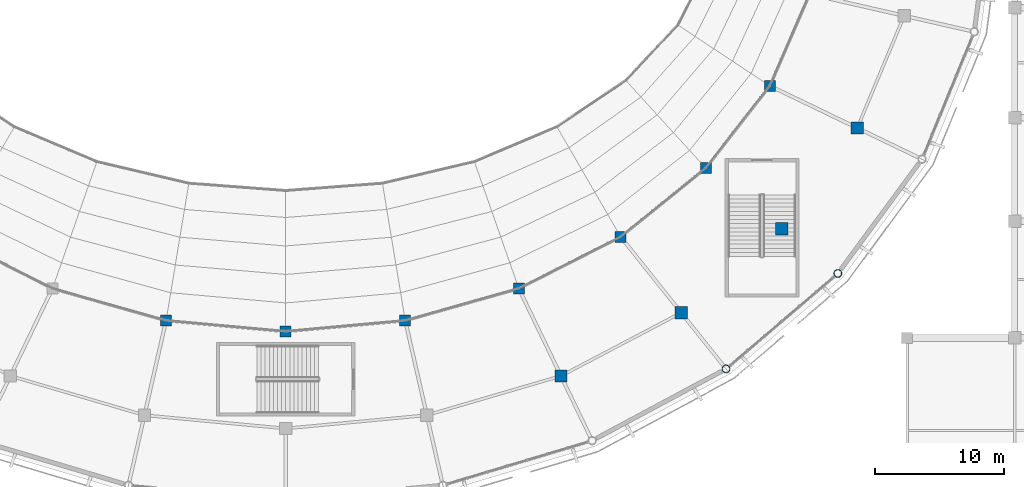
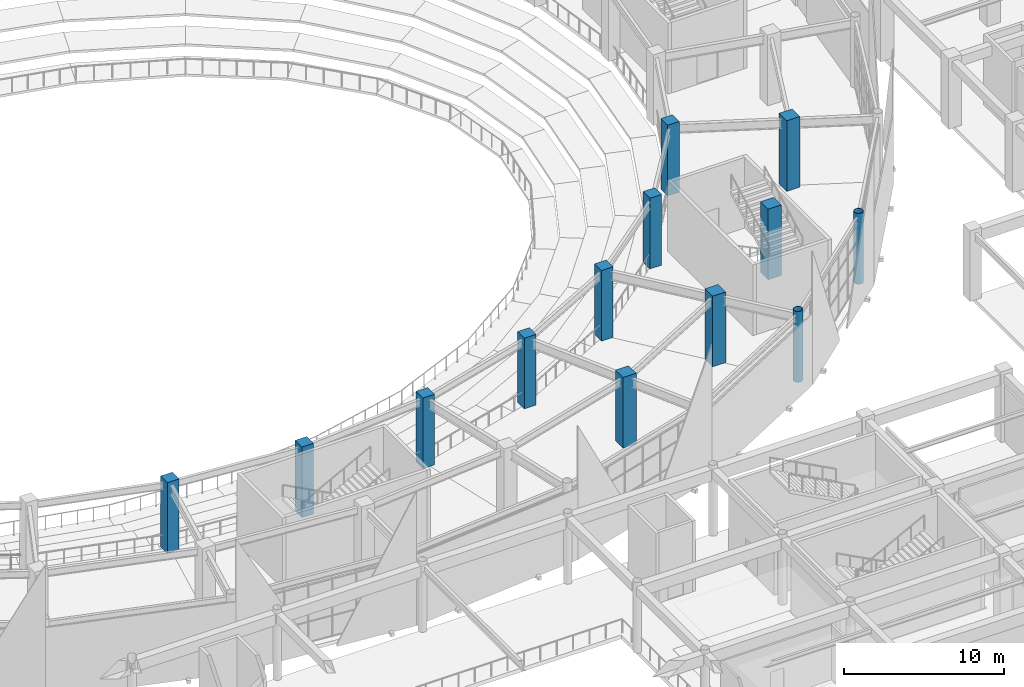
# One storey, part 5 of 120: 13 columns.
"""IFC4 building model written with IfcOpenShell, lengths in metres."""

from ifc_helpers import new_model, si_unit, direction, frame, origin, origin_2d, place, context, subcontext, project, spatial, rectangle, hollow_circle, extrude, material, material_profile, profile_set, type_object, element, save


model = new_model("IFC4")

# Units and contexts
model_context = context("Model", 3, precision=1e-05, world=origin(), true_north=direction((0.0, 1.0)))
body_context = subcontext(model_context, "Body", "Model", "MODEL_VIEW")
ifc_project = project(units=[si_unit("LENGTHUNIT", "METRE"), si_unit("AREAUNIT", "SQUARE_METRE"), si_unit("VOLUMEUNIT", "CUBIC_METRE"), si_unit("PLANEANGLEUNIT", "RADIAN"), si_unit("MASSUNIT", "GRAM", prefix="KILO")], contexts=[model_context])

# Site, building, storey
site_placement = place(None, origin())
site = spatial("IfcSite", under=ifc_project, at=site_placement, CompositionType="ELEMENT")
building_placement = place(site_placement, origin())
building = spatial("IfcBuilding", under=site, at=building_placement, Name="Cuetzalor Civic Arena", CompositionType="ELEMENT")
storey_placement = place(building_placement, frame((0.0, 0.0, 6.0)))
storey = spatial("IfcBuildingStorey", under=building, at=storey_placement, Name="L01", CompositionType="ELEMENT", Elevation=6.0)

# Columns
ifc_material_1 = material(Name="Concrete C40/50", Category="concrete")
ifc_material_profile_1 = material_profile(ifc_material_1, rectangle(XDim=0.85009765625, YDim=0.85009765625, at=origin_2d()), Name="RC 850x850")
ifc_profile_set_1 = profile_set([ifc_material_profile_1], Name="Concrete C40/50")
column_type_1 = type_object("IfcColumnType", Name="ConcreteColumn_850", PredefinedType="COLUMN", material=ifc_profile_set_1)
for number, where, z_axis, x_axis, name in (
    (1, (-9.234619140625, -32.66015625, 0.0), (0.0, 0.0, 1.0), (1.0, 0.0, 0.0), "Column V1-MID-21 L01"),
    (2, (0.0, -33.5, 0.0), (0.0, 0.0, 1.0), (1.0, 0.0, 0.0), "Column V1-MID-22 L01"),
    (3, (9.234619140625, -32.66015625, 0.0), (0.0, 0.0, 1.0), (1.0, 0.0, 0.0), "Column V1-MID-23 L01"),
    (4, (18.006103515625, -30.1826171875, 0.0), (0.0, 0.0, 1.0), (1.0, 0.0, 0.0), "Column V1-MID-24 L01"),
    (5, (25.874755859375, -26.19140625, 0.0), (0.0, 0.0, 1.0), (1.0, 0.0, 0.0), "Column V1-MID-25 L01"),
    (6, (32.446044921875, -20.886962890625, 0.0), (0.0, 0.0, 1.0), (1.0, 0.0, 0.0), "Column V1-MID-26 L01"),
    (7, (37.39013671875, -14.53515625, 0.0), (0.0, 0.0, 1.0), (1.0, 0.0, 0.0), "Column V1-MID-27 L01"),
):
    element("IfcColumn", number, at=place(storey_placement, frame(where, z_axis=z_axis, x_axis=x_axis)), inside=storey, type_object=column_type_1, Name=name, PredefinedType="COLUMN", context=body_context, shape_type="SweptSolid", body=[
        extrude(rectangle(XDim=0.85009765625, YDim=0.85009765625, at=origin_2d()), origin(), (0.0, 0.0, 1.0), 5.39990234375),
    ])
ifc_material_2 = material(Name="Concrete C40/50", Category="concrete")
ifc_material_profile_2 = material_profile(ifc_material_2, rectangle(XDim=0.949951171875, YDim=0.949951171875, at=origin_2d()), Name="RC 950x950")
ifc_profile_set_2 = profile_set([ifc_material_profile_2], Name="Concrete C40/50")
column_type_2 = type_object("IfcColumnType", Name="ConcreteColumn_950", PredefinedType="COLUMN", material=ifc_profile_set_2)
for number, where, z_axis, x_axis, name in (
    (8, (21.26025390625, -36.939697265625, 0.0), (0.0, 0.0, 1.0), (1.0, 0.0, 0.0), "Column V1-REC-24 L01"),
    (9, (30.551025390625, -32.05517578125, 0.0), (0.0, 0.0, 1.0), (1.0, 0.0, 0.0), "Column V1-REC-25 L01"),
    (10, (38.309814453125, -25.56298828125, 0.0), (0.0, 0.0, 1.0), (1.0, 0.0, 0.0), "Column V1-REC-26 L01"),
    (11, (44.1474609375, -17.789306640625, 0.0), (0.0, 0.0, 1.0), (1.0, 0.0, 0.0), "Column V1-REC-27 L01"),
):
    element("IfcColumn", number, at=place(storey_placement, frame(where, z_axis=z_axis, x_axis=x_axis)), inside=storey, type_object=column_type_2, Name=name, PredefinedType="COLUMN", context=body_context, shape_type="SweptSolid", body=[
        extrude(rectangle(XDim=0.949951171875, YDim=0.949951171875, at=origin_2d()), origin(), (0.0, 0.0, 1.0), 5.39990234375),
    ])
ifc_material_3 = material(Name="Steel S355", Category="steel")
ifc_material_profile_3 = material_profile(ifc_material_3, hollow_circle(Radius=0.304931640625, WallThickness=0.02490234375, at=origin_2d()), Name="CHS 610x25")
ifc_profile_set_3 = profile_set([ifc_material_profile_3], Name="Steel S355")
column_type_3 = type_object("IfcColumnType", Name="SteelDomePylon_CHS610", PredefinedType="COLUMN", material=ifc_profile_set_3)
for number, where, z_axis, x_axis, name in (
    (12, (34.011474609375, -36.394287109375, 0.0), (0.0, 0.0, 1.0), (1.0, 0.0, 0.0), "Column V1-PYL-25 L01"),
    (13, (42.64892578125, -29.0234375, 0.0), (0.0, 0.0, 1.0), (1.0, 0.0, 0.0), "Column V1-PYL-26 L01"),
):
    element("IfcColumn", number, at=place(storey_placement, frame(where, z_axis=z_axis, x_axis=x_axis)), inside=storey, type_object=column_type_3, Name=name, PredefinedType="COLUMN", context=body_context, shape_type="SweptSolid", body=[
        extrude(hollow_circle(Radius=0.304931640625, WallThickness=0.02490234375, at=origin_2d()), origin(), (0.0, 0.0, 1.0), 5.39990234375),
    ])

save(model, "model.ifc")
